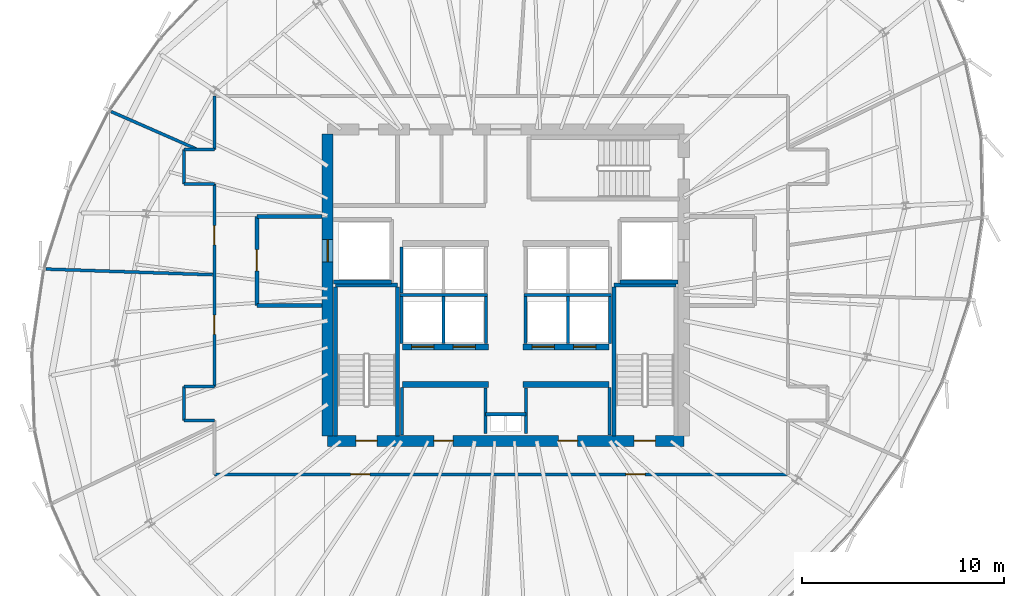
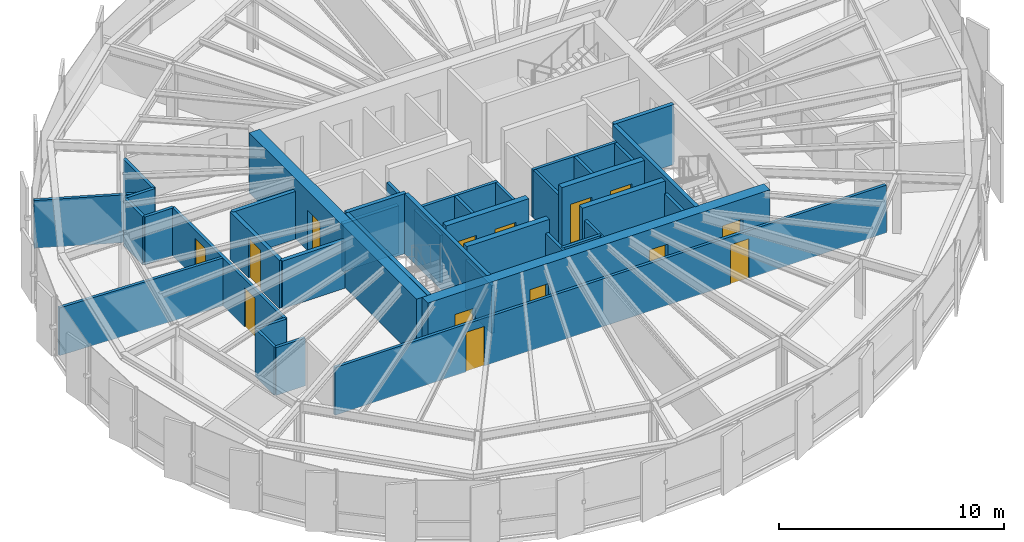
# One storey, part 30 of 35: 41 walls, 14 doors, 14 openings.
"""IFC4 building model written with IfcOpenShell, lengths in metres."""

import ifcopenshell
import ifcopenshell.guid

model = None  # the IFC model being written
_history = None  # IfcOwnerHistory: only IFC2X3 demands one
_inside = {}  # id of a spatial element -> (the spatial element, [elements in it])
_under = {}  # id of a project, library or spatial element -> (it, [spatial elements below it])
_declared = {}  # id of a project -> (the project, [libraries it declares])
_typed = {}  # id of a type object -> (the type object, [elements of that type])
_made_of = {}  # id of a material, layer set ... -> (it, [elements and type objects made of it])


def new_model(schema):
    """Start an empty IFC model of exactly this schema.

    Asked for "IFC4X3", IfcOpenShell would pick the latest addendum, in which some entities
    have other attributes; the version numbers below select the first issue.
    IFC2X3 requires an IfcOwnerHistory on every rooted entity: one is made here for all.
    """
    global model, _history
    if schema == "IFC4X3":
        model = ifcopenshell.file(schema_version=(4, 3, 0, 0))
    else:
        model = ifcopenshell.file(schema=schema)
    _inside.clear()
    _under.clear()
    _declared.clear()
    _typed.clear()
    _made_of.clear()
    _history = None
    if model.schema == "IFC2X3":
        org = make("IfcOrganization", Name="unknown")
        user = make(
            "IfcPersonAndOrganization",
            ThePerson=make("IfcPerson", FamilyName="unknown"),
            TheOrganization=org,
        )
        app = make(
            "IfcApplication",
            ApplicationDeveloper=org,
            Version="unknown",
            ApplicationFullName="unknown",
            ApplicationIdentifier="unknown",
        )
        _history = make(
            "IfcOwnerHistory",
            OwningUser=user,
            OwningApplication=app,
            ChangeAction="ADDED",
            CreationDate=0,
        )
    return model


def make(cls, **values):
    """One entity of the class cls with the attributes given. An attribute that is None is left unset."""
    return model.create_entity(
        cls, **{name: value for name, value in values.items() if value is not None}
    )


def rooted(cls, **values):
    """An entity with a GlobalId (a new one), such as an element, a storey or a relation."""
    return make(cls, GlobalId=ifcopenshell.guid.new(), OwnerHistory=_history, **values)


def si_unit(unit_type, name, prefix=None):
    """IfcSIUnit, for example si_unit("LENGTHUNIT", "METRE", prefix="MILLI")."""
    return make("IfcSIUnit", UnitType=unit_type, Prefix=prefix, Name=name)


def assignment(units):
    """IfcUnitAssignment: the units of a project."""
    return None if units is None else make("IfcUnitAssignment", Units=units)


def point(xyz):
    """IfcCartesianPoint."""
    return None if xyz is None else make("IfcCartesianPoint", Coordinates=xyz)


def direction(xyz):
    """IfcDirection."""
    return None if xyz is None else make("IfcDirection", DirectionRatios=xyz)


def frame(location, z_axis=None, x_axis=None):
    """IfcAxis2Placement3D, a coordinate frame: its origin and axes. An axis left out is left unset."""
    return make(
        "IfcAxis2Placement3D",
        Location=point(location),
        Axis=direction(z_axis),
        RefDirection=direction(x_axis),
    )


def frame_2d(location, x_axis=None):
    """IfcAxis2Placement2D, a coordinate frame in the plane: its origin and x axis."""
    return make(
        "IfcAxis2Placement2D", Location=point(location), RefDirection=direction(x_axis)
    )


def origin():
    """The frame at (0, 0, 0) with its axes left unset."""
    return frame((0.0, 0.0, 0.0))


def place(relative_to, where):
    """IfcLocalPlacement: puts the frame where relative to a parent placement (None: the world)."""
    return make(
        "IfcLocalPlacement", PlacementRelTo=relative_to, RelativePlacement=where
    )


def context(
    kind, dimensions, precision=None, world=None, true_north=None, identifier=None
):
    """IfcGeometricRepresentationContext, for example the 3D "Model" context."""
    return make(
        "IfcGeometricRepresentationContext",
        ContextIdentifier=identifier,
        ContextType=kind,
        CoordinateSpaceDimension=dimensions,
        Precision=precision,
        WorldCoordinateSystem=world,
        TrueNorth=true_north,
    )


def subcontext(parent, identifier, kind, view, scale=None):
    """IfcGeometricRepresentationSubContext, for example "Body" below "Model"."""
    return make(
        "IfcGeometricRepresentationSubContext",
        ContextIdentifier=identifier,
        ContextType=kind,
        ParentContext=parent,
        TargetScale=scale,
        TargetView=view,
    )


def project(units=None, contexts=None):
    """IfcProject with its units and contexts."""
    return rooted(
        "IfcProject",
        Name="project",
        RepresentationContexts=contexts,
        UnitsInContext=assignment(units),
    )


def spatial(cls, under=None, at=None, **own):
    """A site, building, storey or space (cls), placed at a placement, below another one or the project."""
    s = rooted(cls, ObjectPlacement=at, **own)
    if under is not None:
        _under.setdefault(under.id(), (under, []))[1].append(s)
    return s


def profile(cls, at=None, kind="AREA", **sizes):
    """A parametric profile (cls). Its sizes go by their IFC names, for example OverallWidth=200.0."""
    return make(cls, ProfileType=kind, Position=at, **sizes)


def rectangle(**sizes):
    """IfcRectangleProfileDef."""
    return profile("IfcRectangleProfileDef", **sizes)


def extrude(swept, where, along, depth):
    """IfcExtrudedAreaSolid: the profile swept, set in the frame where, extruded along a direction by depth."""
    return make(
        "IfcExtrudedAreaSolid",
        SweptArea=swept,
        Position=where,
        ExtrudedDirection=direction(along),
        Depth=depth,
    )


def shape(context_of_items, identifier, shape_type, items):
    """IfcShapeRepresentation: the items that make up one representation, for example the "Body"."""
    return make(
        "IfcShapeRepresentation",
        ContextOfItems=context_of_items,
        RepresentationIdentifier=identifier,
        RepresentationType=shape_type,
        Items=items,
    )


def source(mapping_origin, context_of_items, identifier, shape_type, items):
    """IfcRepresentationMap: a shape defined once, which mapped items show again and again."""
    return make(
        "IfcRepresentationMap",
        MappingOrigin=mapping_origin,
        MappedRepresentation=shape(context_of_items, identifier, shape_type, items),
    )


def transform(
    local_origin,
    x_axis=None,
    y_axis=None,
    z_axis=None,
    scale=None,
    scale2=None,
    scale3=None,
    uniform=True,
):
    """IfcCartesianTransformationOperator3D, or its non-uniform kind. x_axis, y_axis, z_axis: its Axis1, 2, 3."""
    if uniform:
        return make(
            "IfcCartesianTransformationOperator3D",
            Axis1=direction(x_axis),
            Axis2=direction(y_axis),
            LocalOrigin=point(local_origin),
            Scale=scale,
            Axis3=direction(z_axis),
        )
    return make(
        "IfcCartesianTransformationOperator3DnonUniform",
        Axis1=direction(x_axis),
        Axis2=direction(y_axis),
        LocalOrigin=point(local_origin),
        Scale=scale,
        Axis3=direction(z_axis),
        Scale2=scale2,
        Scale3=scale3,
    )


def mapped(mapping_source, mapping_target):
    """IfcMappedItem: shows the shape of a source again, moved by a transform."""
    return make(
        "IfcMappedItem", MappingSource=mapping_source, MappingTarget=mapping_target
    )


def material(Name=None, Category=None):
    """IfcMaterial."""
    return make("IfcMaterial", Name=Name, Category=Category)


def layer(
    of_material, thickness, ventilated=None, Name=None, Category=None, Priority=None
):
    """IfcMaterialLayer: one layer of a wall or slab, of a material (None: an air gap)."""
    return make(
        "IfcMaterialLayer",
        Material=of_material,
        LayerThickness=thickness,
        IsVentilated=ventilated,
        Name=Name,
        Category=Category,
        Priority=Priority,
    )


def layer_set(layers, Name=None):
    """IfcMaterialLayerSet."""
    return make("IfcMaterialLayerSet", MaterialLayers=layers, LayerSetName=Name)


def made_of(thing, what):
    """Note that an element or type object is made of a material, layer set ...; save() writes the relation."""
    if what is not None:
        _made_of.setdefault(what.id(), (what, []))[1].append(thing)
    return thing


def type_object(cls, material=None, **own):
    """A type object (cls), such as IfcWallType, which elements share."""
    return made_of(rooted(cls, **own), material)


def element(
    cls,
    number,
    at=None,
    inside=None,
    cuts=None,
    type_object=None,
    material=None,
    context=None,
    identifier="Body",
    shape_type=None,
    held_by="IfcProductDefinitionShape",
    body=None,
    shapes=None,
    **own,
):
    """One element of the class cls, such as IfcWall. Its Tag is "e" and its number.

    at: its placement. inside: the storey or other place that contains it. cuts: it is an
    opening in that element (IfcRelVoidsElement). A single representation is given by context,
    identifier, shape_type and body (its items); several are given by shapes. held_by: the class
    of the entity that holds the representations. save() writes the other relations.
    """
    e = rooted(cls, Tag="e%d" % number, ObjectPlacement=at, **own)
    if body is not None:
        shapes = [shape(context, identifier, shape_type, body)]
    if shapes is not None:
        e.Representation = make(held_by, Representations=shapes)
    if inside is not None:
        _inside.setdefault(inside.id(), (inside, []))[1].append(e)
    if cuts is not None:
        rooted(
            "IfcRelVoidsElement", RelatingBuildingElement=cuts, RelatedOpeningElement=e
        )
    if type_object is not None:
        _typed.setdefault(type_object.id(), (type_object, []))[1].append(e)
    return made_of(e, material)


def fill(opening, filler):
    """IfcRelFillsElement: the door or window that sits in an opening."""
    return rooted(
        "IfcRelFillsElement",
        RelatingOpeningElement=opening,
        RelatedBuildingElement=filler,
    )


def aggregate(whole, parts):
    """IfcRelAggregates: a whole, such as a stair, and the parts it consists of."""
    return rooted("IfcRelAggregates", RelatingObject=whole, RelatedObjects=parts)


def save(model, path):
    """Write the relations noted so far, then the file.

    IfcRelAggregates (storeys below a building ...), IfcRelContainedInSpatialStructure (elements
    in a storey), IfcRelDefinesByType, IfcRelAssociatesMaterial and IfcRelDeclares: one each for
    every whole, place, type object, material and project.
    """
    for whole, parts in _under.values():
        aggregate(whole, parts)
    for where, things in _inside.values():
        rooted(
            "IfcRelContainedInSpatialStructure",
            RelatedElements=things,
            RelatingStructure=where,
        )
    for kind, things in _typed.values():
        rooted("IfcRelDefinesByType", RelatedObjects=things, RelatingType=kind)
    for what, things in _made_of.values():
        rooted("IfcRelAssociatesMaterial", RelatedObjects=things, RelatingMaterial=what)
    for by, libraries in _declared.values():
        rooted("IfcRelDeclares", RelatingContext=by, RelatedDefinitions=libraries)
    model.write(path)


model = new_model("IFC4")

# Units and contexts
model_context = context("Model", 3, precision=1e-05, world=origin(), true_north=direction((0.0, 1.0)))
body_context = subcontext(model_context, "Body", "Model", "MODEL_VIEW")
ifc_project = project(units=[si_unit("LENGTHUNIT", "METRE"), si_unit("AREAUNIT", "SQUARE_METRE"), si_unit("VOLUMEUNIT", "CUBIC_METRE"), si_unit("PLANEANGLEUNIT", "RADIAN"), si_unit("MASSUNIT", "GRAM", prefix="KILO"), si_unit("THERMODYNAMICTEMPERATUREUNIT", "KELVIN")], contexts=[model_context])

# Site, building, storey
site_placement = place(None, origin())
site = spatial("IfcSite", under=ifc_project, at=site_placement, CompositionType="ELEMENT")
building_placement = place(site_placement, origin())
building = spatial("IfcBuilding", under=site, at=building_placement, Name="Kethvar Cultural Tower", CompositionType="ELEMENT")
storey_placement = place(building_placement, frame((0.0, 0.0, 204.39990234375)))
storey = spatial("IfcBuildingStorey", under=building, at=storey_placement, Name="L53", CompositionType="ELEMENT", Elevation=204.39990234375)

# Wall, openings, doors
ifc_material_1 = material(Name="Concrete C60/75", Category="concrete")
ifc_layer_1 = layer(ifc_material_1, 0.550048828125, Name="Concrete C60/75", Category="concrete")
ifc_layer_set_1 = layer_set([ifc_layer_1], Name="Concrete C60/75 (550 mm)")
wall_type_1 = type_object("IfcWallType", Name="WL-CORE-550", PredefinedType="SHEAR", material=ifc_layer_set_1)
wall_1_placement = place(storey_placement, frame((38.0, 20.10009765625, 0.0), z_axis=(0.0, 0.0, 1.0), x_axis=(1.0, 0.0, 0.0)))
wall_1 = element("IfcWall", 1, at=wall_1_placement, inside=storey, type_object=wall_type_1, Name="L53 Core Shear Wall S", PredefinedType="SHEAR", context=body_context, shape_type="SweptSolid", body=[
    extrude(rectangle(XDim=17.60009765625, YDim=0.550048828125, at=frame_2d((8.800048828125, 0.0))), origin(), (0.0, 0.0, 1.0), 3.260009765625),
])
opening_1_placement = place(wall_1_placement, frame((1.39990234375, 0.0, 0.0)))
opening_1 = element("IfcOpeningElement", 2, at=opening_1_placement, cuts=wall_1, Name="Opening D-L53-S1", PredefinedType="OPENING", context=body_context, shape_type="SweptSolid", body=[
    extrude(rectangle(XDim=1.050048828125, YDim=2.14990234375, at=frame_2d((0.52490234375, 1.074951171875))), frame((0.0, 0.284912109375, 0.0), z_axis=(0.0, -1.0, 0.0), x_axis=(1.0, 0.0, 0.0)), (0.0, 0.0, 1.0), 0.570068359375),
])
opening_2_placement = place(wall_1_placement, frame((15.14990234375, 0.0, 0.0)))
opening_2 = element("IfcOpeningElement", 3, at=opening_2_placement, cuts=wall_1, Name="Opening D-L53-ST2", PredefinedType="OPENING", context=body_context, shape_type="SweptSolid", body=[
    extrude(rectangle(XDim=1.050048828125, YDim=2.14990234375, at=frame_2d((0.52490234375, 1.074951171875))), frame((0.0, 0.284912109375, 0.0), z_axis=(0.0, -1.0, 0.0), x_axis=(1.0, 0.0, 0.0)), (0.0, 0.0, 1.0), 0.570068359375),
])
opening_3_placement = place(wall_1_placement, frame((5.25, 0.0, 0.0)))
opening_3 = element("IfcOpeningElement", 4, at=opening_3_placement, cuts=wall_1, Name="Opening D-L53-V1", PredefinedType="OPENING", context=body_context, shape_type="SweptSolid", body=[
    extrude(rectangle(XDim=0.949951171875, YDim=2.14990234375, at=frame_2d((0.47509765625, 1.074951171875))), frame((0.0, 0.284912109375, 0.0), z_axis=(0.0, -1.0, 0.0), x_axis=(1.0, 0.0, 0.0)), (0.0, 0.0, 1.0), 0.570068359375),
])
opening_4_placement = place(wall_1_placement, frame((11.39990234375, 0.0, 0.0)))
opening_4 = element("IfcOpeningElement", 5, at=opening_4_placement, cuts=wall_1, Name="Opening D-L53-V2", PredefinedType="OPENING", context=body_context, shape_type="SweptSolid", body=[
    extrude(rectangle(XDim=0.949951171875, YDim=2.14990234375, at=frame_2d((0.47509765625, 1.074951171875))), frame((0.0, 0.284912109375, 0.0), z_axis=(0.0, -1.0, 0.0), x_axis=(1.0, 0.0, 0.0)), (0.0, 0.0, 1.0), 0.570068359375),
])
ifc_material_2 = material(Name="Steel S355J2", Category="steel")
door_type_1 = type_object("IfcDoorType", Name="DR-FD60-1050", OperationType="NOTDEFINED", PredefinedType="DOOR", material=ifc_material_2)
shared_shape_1 = source(origin(), body_context, "Body", "SweptSolid", [
    extrude(rectangle(XDim=1.050048828125, YDim=2.14990234375, at=frame_2d((0.52490234375, 1.074951171875))), frame((0.0, 0.02490234375, 0.0), z_axis=(0.0, -1.0, 0.0), x_axis=(1.0, 0.0, 0.0)), (0.0, 0.0, 1.0), 0.050048828125),
])
door_1_placement = place(opening_1_placement, origin())
door_1 = element("IfcDoor", 6, at=door_1_placement, inside=storey, type_object=door_type_1, Name="L53 Exit Stair 1 Door", OperationType="SINGLE_SWING_LEFT", OverallHeight=2.14990234375, OverallWidth=1.050048828125, PredefinedType="DOOR", context=body_context, shape_type="MappedRepresentation", body=[
    mapped(shared_shape_1, transform((0.0, 0.0, 0.0), scale=1.0)),
])
fill(opening_1, door_1)
door_2_placement = place(opening_2_placement, origin())
door_2 = element("IfcDoor", 7, at=door_2_placement, inside=storey, type_object=door_type_1, Name="L53 Exit Stair 2 Door", OperationType="SINGLE_SWING_RIGHT", OverallHeight=2.14990234375, OverallWidth=1.050048828125, PredefinedType="DOOR", context=body_context, shape_type="MappedRepresentation", body=[
    mapped(shared_shape_1, transform((0.0, 0.0, 0.0), scale=1.0)),
])
fill(opening_2, door_2)
ifc_material_3 = material(Name="Architectural Oak Timber", Category="wood")
door_type_2 = type_object("IfcDoorType", Name="DR-FD30-950", OperationType="NOTDEFINED", PredefinedType="DOOR", material=ifc_material_3)
shared_shape_2 = source(origin(), body_context, "Body", "SweptSolid", [
    extrude(rectangle(XDim=0.949951171875, YDim=2.14990234375, at=frame_2d((0.47509765625, 1.074951171875))), frame((0.0, 0.02490234375, 0.0), z_axis=(0.0, -1.0, 0.0), x_axis=(1.0, 0.0, 0.0)), (0.0, 0.0, 1.0), 0.050048828125),
])
door_3_placement = place(opening_3_placement, origin())
door_3 = element("IfcDoor", 8, at=door_3_placement, inside=storey, type_object=door_type_2, Name="L53 Reclaimed West Room Door", OperationType="SINGLE_SWING_LEFT", OverallHeight=2.14990234375, OverallWidth=0.949951171875, PredefinedType="DOOR", context=body_context, shape_type="MappedRepresentation", body=[
    mapped(shared_shape_2, transform((0.0, 0.0, 0.0), scale=1.0)),
])
fill(opening_3, door_3)
door_4_placement = place(opening_4_placement, origin())
door_4 = element("IfcDoor", 9, at=door_4_placement, inside=storey, type_object=door_type_2, Name="L53 Reclaimed East Room Door", OperationType="SINGLE_SWING_RIGHT", OverallHeight=2.14990234375, OverallWidth=0.949951171875, PredefinedType="DOOR", context=body_context, shape_type="MappedRepresentation", body=[
    mapped(shared_shape_2, transform((0.0, 0.0, 0.0), scale=1.0)),
])
fill(opening_4, door_4)

# Wall, opening, door
wall_2_placement = place(storey_placement, frame((38.0, 35.260009765625, 0.0), z_axis=(0.0, 0.0, 1.0), x_axis=(0.0, -1.0, 0.0)))
wall_2 = element("IfcWall", 10, at=wall_2_placement, inside=storey, type_object=wall_type_1, Name="L53 Core Shear Wall W", PredefinedType="SHEAR", context=body_context, shape_type="SweptSolid", body=[
    extrude(rectangle(XDim=14.919921875, YDim=0.550048828125, at=frame_2d((7.4599609375, 0.0))), origin(), (0.0, 0.0, 1.0), 3.260009765625),
])
opening_5_placement = place(wall_2_placement, frame((5.2099609375, 0.0, 0.0)))
opening_5 = element("IfcOpeningElement", 11, at=opening_5_placement, cuts=wall_2, Name="Opening LD-1", PredefinedType="OPENING", context=body_context, shape_type="SweptSolid", body=[
    extrude(rectangle(XDim=1.10009765625, YDim=2.199951171875, at=frame_2d((0.550048828125, 1.10009765625))), frame((0.0, 0.284912109375, 0.0), z_axis=(0.0, -1.0, 0.0), x_axis=(1.0, 0.0, 0.0)), (0.0, 0.0, 1.0), 0.570068359375),
])
door_type_3 = type_object("IfcDoorType", Name="DR-LIFT-SLIDE-1100", OperationType="NOTDEFINED", PredefinedType="DOOR", material=ifc_material_2)
shared_shape_3 = source(origin(), body_context, "Body", "SweptSolid", [
    extrude(rectangle(XDim=1.10009765625, YDim=2.199951171875, at=frame_2d((0.550048828125, 1.10009765625))), frame((0.0, 0.02490234375, 0.0), z_axis=(0.0, -1.0, 0.0), x_axis=(1.0, 0.0, 0.0)), (0.0, 0.0, 1.0), 0.050048828125),
])
door_5_placement = place(opening_5_placement, origin())
door_5 = element("IfcDoor", 12, at=door_5_placement, inside=storey, type_object=door_type_3, Name="L53 Firefighting Lift Landing Door FFL-01", OperationType="SLIDING_TO_LEFT", OverallHeight=2.199951171875, OverallWidth=1.10009765625, PredefinedType="DOOR", context=body_context, shape_type="MappedRepresentation", body=[
    mapped(shared_shape_3, transform((0.0, 0.0, 0.0), scale=1.0)),
])
fill(opening_5, door_5)

# Walls
ifc_material_4 = material(Name="Gypsum Fireboard Partition")
ifc_layer_2 = layer(ifc_material_4, 0.14990234375, Name="Gypsum Fireboard Partition")
ifc_layer_set_2 = layer_set([ifc_layer_2], Name="Gypsum Fireboard Partition (150 mm)")
wall_type_2 = type_object("IfcWallType", Name="WL-FIRE-150", PredefinedType="PARTITIONING", material=ifc_layer_set_2)
wall_3_placement = place(storey_placement, frame((45.800048828125, 21.419921875, 0.0), z_axis=(0.0, 0.0, 1.0), x_axis=(1.0, 0.0, 0.0)))
element("IfcWall", 13, at=wall_3_placement, inside=storey, type_object=wall_type_2, Name="L53 Core Riser Wall", PredefinedType="PARTITIONING", context=body_context, shape_type="SweptSolid", body=[
    extrude(rectangle(XDim=2.0, YDim=0.14990234375, at=frame_2d((1.0, 0.0))), origin(), (0.0, 0.0, 1.0), 2.59521484375),
])
for number, where, z_axis, x_axis, name in (
    (14, (45.800048828125, 20.47998046875, 0.0), (0.0, 0.0, 1.0), (0.0, 1.0, 0.0), "L53 Core Riser West Wall"),
    (15, (47.800048828125, 20.47998046875, 0.0), (0.0, 0.0, 1.0), (0.0, 1.0, 0.0), "L53 Core Riser East Wall"),
):
    element("IfcWall", number, at=place(storey_placement, frame(where, z_axis=z_axis, x_axis=x_axis)), inside=storey, type_object=wall_type_2, Name=name, PredefinedType="PARTITIONING", context=body_context, shape_type="SweptSolid", body=[
        extrude(rectangle(XDim=2.239990234375, YDim=0.14990234375, at=frame_2d((1.1201171875, 0.0))), origin(), (0.0, 0.0, 1.0), 2.59521484375),
    ])
for number, where, z_axis, x_axis, name in (
    (16, (41.679931640625, 20.385009765625, 0.0), (0.0, 0.0, 1.0), (0.0, 1.0, 0.0), "L53 Reclaimed West Outer Wall"),
    (17, (51.919921875, 20.385009765625, 0.0), (0.0, 0.0, 1.0), (0.0, 1.0, 0.0), "L53 Reclaimed East Outer Wall"),
):
    element("IfcWall", number, at=place(storey_placement, frame(where, z_axis=z_axis, x_axis=x_axis)), inside=storey, type_object=wall_type_2, Name=name, PredefinedType="PARTITIONING", context=body_context, shape_type="SweptSolid", body=[
        extrude(rectangle(XDim=2.344970703125, YDim=0.14990234375, at=frame_2d((1.17236328125, 0.0))), origin(), (0.0, 0.0, 1.0), 2.59521484375),
    ])
wall_4_placement = place(storey_placement, frame((41.580078125, 27.324951171875, 0.0), z_axis=(0.0, 0.0, 1.0), x_axis=(1.0, 0.0, 0.0)))
element("IfcWall", 18, at=wall_4_placement, inside=storey, type_object=wall_type_2, Name="L53 Mid-High Lift Shaft Back Wall W", PredefinedType="PARTITIONING", context=body_context, shape_type="SweptSolid", body=[
    extrude(rectangle(XDim=4.31982421875, YDim=0.14990234375, at=frame_2d((2.159912109375, 0.0))), origin(), (0.0, 0.0, 1.0), 2.59521484375),
])
wall_5_placement = place(storey_placement, frame((47.699951171875, 27.324951171875, 0.0), z_axis=(0.0, 0.0, 1.0), x_axis=(1.0, 0.0, 0.0)))
element("IfcWall", 19, at=wall_5_placement, inside=storey, type_object=wall_type_2, Name="L53 Mid-High Lift Shaft Back Wall E", PredefinedType="PARTITIONING", context=body_context, shape_type="SweptSolid", body=[
    extrude(rectangle(XDim=4.320068359375, YDim=0.14990234375, at=frame_2d((2.16015625, 0.0))), origin(), (0.0, 0.0, 1.0), 2.59521484375),
])
for number, where, z_axis, x_axis, name in (
    (20, (41.64990234375, 24.919921875, 0.0), (0.0, 0.0, 1.0), (0.0, 1.0, 0.0), "L53 Mid-Rise Lift Shaft Outer Wall W"),
    (21, (43.72509765625, 24.919921875, 0.0), (0.0, 0.0, 1.0), (0.0, 1.0, 0.0), "L53 Mid-Rise Lift Shaft Divider W"),
    (22, (45.824951171875, 24.919921875, 0.0), (0.0, 0.0, 1.0), (0.0, 1.0, 0.0), "L53 Mid-Rise Lift Shaft Concourse Wall W"),
    (23, (47.77490234375, 24.919921875, 0.0), (0.0, 0.0, 1.0), (0.0, 1.0, 0.0), "L53 Mid-Rise Lift Shaft Concourse Wall E"),
    (24, (49.875, 24.919921875, 0.0), (0.0, 0.0, 1.0), (0.0, 1.0, 0.0), "L53 Mid-Rise Lift Shaft Divider E"),
    (25, (51.949951171875, 24.919921875, 0.0), (0.0, 0.0, 1.0), (0.0, 1.0, 0.0), "L53 Mid-Rise Lift Shaft Outer Wall E"),
):
    element("IfcWall", number, at=place(storey_placement, frame(where, z_axis=z_axis, x_axis=x_axis)), inside=storey, type_object=wall_type_2, Name=name, PredefinedType="PARTITIONING", context=body_context, shape_type="SweptSolid", body=[
        extrude(rectangle(XDim=2.320068359375, YDim=0.14990234375, at=frame_2d((1.16015625, 0.0))), origin(), (0.0, 0.0, 1.0), 2.59521484375),
    ])
wall_6_placement = place(storey_placement, frame((41.64990234375, 27.409912109375, 0.0), z_axis=(0.0, 0.0, 1.0), x_axis=(0.0, 1.0, 0.0)))
element("IfcWall", 26, at=wall_6_placement, inside=storey, type_object=wall_type_2, Name="L53 High-Rise Lift Shaft Outer Wall W", PredefinedType="PARTITIONING", context=body_context, shape_type="SweptSolid", body=[
    extrude(rectangle(XDim=2.27001953125, YDim=0.14990234375, at=frame_2d((1.135009765625, 0.0))), origin(), (0.0, 0.0, 1.0), 2.59521484375),
])

# Wall, openings, doors
wall_7_placement = place(storey_placement, frame((32.39990234375, 18.449951171875, 0.0), z_axis=(0.0, 0.0, 1.0), x_axis=(1.0, 0.0, 0.0)))
wall_7 = element("IfcWall", 27, at=wall_7_placement, inside=storey, type_object=wall_type_2, Name="L53 Corridor Rated Wall S", PredefinedType="PARTITIONING", context=body_context, shape_type="SweptSolid", body=[
    extrude(rectangle(XDim=28.35009765625, YDim=0.14990234375, at=frame_2d((14.175048828125, 0.0))), origin(), (0.0, 0.0, 1.0), 2.59521484375),
])
opening_6_placement = place(wall_7_placement, frame((6.73974609375, 0.0, 0.0)))
opening_6 = element("IfcOpeningElement", 28, at=opening_6_placement, cuts=wall_7, Name="Opening D-L53-01", PredefinedType="OPENING", context=body_context, shape_type="SweptSolid", body=[
    extrude(rectangle(XDim=0.949951171875, YDim=2.14990234375, at=frame_2d((0.47509765625, 1.074951171875))), frame((0.0, 0.0849609375, 0.0), z_axis=(0.0, -1.0, 0.0), x_axis=(1.0, 0.0, 0.0)), (0.0, 0.0, 1.0), 0.169921875),
])
opening_7_placement = place(wall_7_placement, frame((20.334716796875, 0.0, 0.0)))
opening_7 = element("IfcOpeningElement", 29, at=opening_7_placement, cuts=wall_7, Name="Opening D-L53-02", PredefinedType="OPENING", context=body_context, shape_type="SweptSolid", body=[
    extrude(rectangle(XDim=0.949951171875, YDim=2.14990234375, at=frame_2d((0.47509765625, 1.074951171875))), frame((0.0, 0.0849609375, 0.0), z_axis=(0.0, -1.0, 0.0), x_axis=(1.0, 0.0, 0.0)), (0.0, 0.0, 1.0), 0.169921875),
])
door_6_placement = place(opening_6_placement, origin())
door_6 = element("IfcDoor", 30, at=door_6_placement, inside=storey, type_object=door_type_2, Name="L53 Policy Research Workspace 01 Door", OperationType="SINGLE_SWING_RIGHT", OverallHeight=2.14990234375, OverallWidth=0.949951171875, PredefinedType="DOOR", context=body_context, shape_type="MappedRepresentation", body=[
    mapped(shared_shape_2, transform((0.0, 0.0, 0.0), scale=1.0)),
])
fill(opening_6, door_6)
door_7_placement = place(opening_7_placement, origin())
door_7 = element("IfcDoor", 31, at=door_7_placement, inside=storey, type_object=door_type_2, Name="L53 Fellows' Study Workspace 02 Door", OperationType="SINGLE_SWING_LEFT", OverallHeight=2.14990234375, OverallWidth=0.949951171875, PredefinedType="DOOR", context=body_context, shape_type="MappedRepresentation", body=[
    mapped(shared_shape_2, transform((0.0, 0.0, 0.0), scale=1.0)),
])
fill(opening_7, door_7)

# Walls
wall_8_placement = place(storey_placement, frame((32.39990234375, 37.14990234375, 0.0), z_axis=(0.0, 0.0, 1.0), x_axis=(0.0, -1.0, 0.0)))
element("IfcWall", 32, at=wall_8_placement, inside=storey, type_object=wall_type_2, Name="L53 Corridor Rated Wall W2", PredefinedType="PARTITIONING", context=body_context, shape_type="SweptSolid", body=[
    extrude(rectangle(XDim=2.64990234375, YDim=0.14990234375, at=frame_2d((1.324951171875, 0.0))), origin(), (0.0, 0.0, 1.0), 2.59521484375),
])
wall_9_placement = place(storey_placement, frame((32.39990234375, 34.5, 0.0), z_axis=(0.0, 0.0, 1.0), x_axis=(-1.0, 0.0, 0.0)))
element("IfcWall", 33, at=wall_9_placement, inside=storey, type_object=wall_type_2, Name="L53 Corridor Rated Wall WNT", PredefinedType="PARTITIONING", context=body_context, shape_type="SweptSolid", body=[
    extrude(rectangle(XDim=1.5, YDim=0.14990234375, at=frame_2d((0.75, 0.0))), origin(), (0.0, 0.0, 1.0), 2.59521484375),
])
wall_10_placement = place(storey_placement, frame((30.89990234375, 34.5, 0.0), z_axis=(0.0, 0.0, 1.0), x_axis=(0.0, -1.0, 0.0)))
element("IfcWall", 34, at=wall_10_placement, inside=storey, type_object=wall_type_2, Name="L53 Corridor Rated Wall WN", PredefinedType="PARTITIONING", context=body_context, shape_type="SweptSolid", body=[
    extrude(rectangle(XDim=1.699951171875, YDim=0.14990234375, at=frame_2d((0.85009765625, 0.0))), origin(), (0.0, 0.0, 1.0), 2.59521484375),
])
wall_11_placement = place(storey_placement, frame((30.89990234375, 32.800048828125, 0.0), z_axis=(0.0, 0.0, 1.0), x_axis=(1.0, 0.0, 0.0)))
element("IfcWall", 35, at=wall_11_placement, inside=storey, type_object=wall_type_2, Name="L53 Corridor Rated Wall WNB", PredefinedType="PARTITIONING", context=body_context, shape_type="SweptSolid", body=[
    extrude(rectangle(XDim=1.5, YDim=0.14990234375, at=frame_2d((0.75, 0.0))), origin(), (0.0, 0.0, 1.0), 2.59521484375),
])

# Wall, openings, doors
wall_12_placement = place(storey_placement, frame((32.39990234375, 32.800048828125, 0.0), z_axis=(0.0, 0.0, 1.0), x_axis=(0.0, -1.0, 0.0)))
wall_12 = element("IfcWall", 36, at=wall_12_placement, inside=storey, type_object=wall_type_2, Name="L53 Corridor Rated Wall WM", PredefinedType="PARTITIONING", context=body_context, shape_type="SweptSolid", body=[
    extrude(rectangle(XDim=10.0, YDim=0.14990234375, at=frame_2d((5.0, 0.0))), origin(), (0.0, 0.0, 1.0), 2.59521484375),
])
opening_8_placement = place(wall_12_placement, frame((2.059326171875, 0.0, 0.0)))
opening_8 = element("IfcOpeningElement", 37, at=opening_8_placement, cuts=wall_12, Name="Opening D-L53-10", PredefinedType="OPENING", context=body_context, shape_type="SweptSolid", body=[
    extrude(rectangle(XDim=0.949951171875, YDim=2.14990234375, at=frame_2d((0.47509765625, 1.074951171875))), frame((0.0, 0.0849609375, 0.0), z_axis=(0.0, -1.0, 0.0), x_axis=(1.0, 0.0, 0.0)), (0.0, 0.0, 1.0), 0.169921875),
])
opening_9_placement = place(wall_12_placement, frame((6.4794921875, 0.0, 0.0)))
opening_9 = element("IfcOpeningElement", 38, at=opening_9_placement, cuts=wall_12, Name="Opening D-L53-11", PredefinedType="OPENING", context=body_context, shape_type="SweptSolid", body=[
    extrude(rectangle(XDim=0.949951171875, YDim=2.14990234375, at=frame_2d((0.47509765625, 1.074951171875))), frame((0.0, 0.0849609375, 0.0), z_axis=(0.0, -1.0, 0.0), x_axis=(1.0, 0.0, 0.0)), (0.0, 0.0, 1.0), 0.169921875),
])
door_8_placement = place(opening_8_placement, origin())
door_8 = element("IfcDoor", 39, at=door_8_placement, inside=storey, type_object=door_type_2, Name="L53 Patron Reception 10 Door", OperationType="SINGLE_SWING_LEFT", OverallHeight=2.14990234375, OverallWidth=0.949951171875, PredefinedType="DOOR", context=body_context, shape_type="MappedRepresentation", body=[
    mapped(shared_shape_2, transform((0.0, 0.0, 0.0), scale=1.0)),
])
fill(opening_8, door_8)
door_9_placement = place(opening_9_placement, origin())
door_9 = element("IfcDoor", 40, at=door_9_placement, inside=storey, type_object=door_type_2, Name="L53 First Aid Room 11 Door", OperationType="SINGLE_SWING_RIGHT", OverallHeight=2.14990234375, OverallWidth=0.949951171875, PredefinedType="DOOR", context=body_context, shape_type="MappedRepresentation", body=[
    mapped(shared_shape_2, transform((0.0, 0.0, 0.0), scale=1.0)),
])
fill(opening_9, door_9)

# Walls
wall_13_placement = place(storey_placement, frame((32.39990234375, 22.800048828125, 0.0), z_axis=(0.0, 0.0, 1.0), x_axis=(-1.0, 0.0, 0.0)))
element("IfcWall", 41, at=wall_13_placement, inside=storey, type_object=wall_type_2, Name="L53 Corridor Rated Wall WST", PredefinedType="PARTITIONING", context=body_context, shape_type="SweptSolid", body=[
    extrude(rectangle(XDim=1.5, YDim=0.14990234375, at=frame_2d((0.75, 0.0))), origin(), (0.0, 0.0, 1.0), 2.59521484375),
])
wall_14_placement = place(storey_placement, frame((30.89990234375, 22.800048828125, 0.0), z_axis=(0.0, 0.0, 1.0), x_axis=(0.0, -1.0, 0.0)))
element("IfcWall", 42, at=wall_14_placement, inside=storey, type_object=wall_type_2, Name="L53 Corridor Rated Wall WS", PredefinedType="PARTITIONING", context=body_context, shape_type="SweptSolid", body=[
    extrude(rectangle(XDim=1.699951171875, YDim=0.14990234375, at=frame_2d((0.85009765625, 0.0))), origin(), (0.0, 0.0, 1.0), 2.59521484375),
])
wall_15_placement = place(storey_placement, frame((30.89990234375, 21.10009765625, 0.0), z_axis=(0.0, 0.0, 1.0), x_axis=(1.0, 0.0, 0.0)))
element("IfcWall", 43, at=wall_15_placement, inside=storey, type_object=wall_type_2, Name="L53 Corridor Rated Wall WSB", PredefinedType="PARTITIONING", context=body_context, shape_type="SweptSolid", body=[
    extrude(rectangle(XDim=1.5, YDim=0.14990234375, at=frame_2d((0.75, 0.0))), origin(), (0.0, 0.0, 1.0), 2.59521484375),
])
ifc_material_5 = material(Name="Concrete C40/50", Category="concrete")
ifc_layer_3 = layer(ifc_material_5, 0.199951171875, Name="Concrete C40/50", Category="concrete")
ifc_layer_set_3 = layer_set([ifc_layer_3], Name="Concrete C40/50 (200 mm)")
wall_type_3 = type_object("IfcWallType", Name="WL-FIRE-200", PredefinedType="PARTITIONING", material=ifc_layer_set_3)
wall_16_placement = place(storey_placement, frame((38.284912109375, 27.949951171875, 0.0), z_axis=(0.0, 0.0, 1.0), x_axis=(1.0, 0.0, 0.0)))
element("IfcWall", 44, at=wall_16_placement, inside=storey, type_object=wall_type_3, Name="L53 FFL-01 Shaft South Wall", PredefinedType="PARTITIONING", context=body_context, shape_type="SweptSolid", body=[
    extrude(rectangle(XDim=2.864990234375, YDim=0.199951171875, at=frame_2d((1.4326171875, 0.0))), origin(), (0.0, 0.0, 1.0), 2.59521484375),
])

# Wall, opening, door
wall_17_placement = place(storey_placement, frame((34.5, 31.199951171875, 0.0), z_axis=(0.0, 0.0, 1.0), x_axis=(0.0, -1.0, 0.0)))
wall_17 = element("IfcWall", 45, at=wall_17_placement, inside=storey, type_object=wall_type_3, Name="L53 Firefighting Lobby 1 Wall", PredefinedType="PARTITIONING", context=body_context, shape_type="SweptSolid", body=[
    extrude(rectangle(XDim=4.39990234375, YDim=0.199951171875, at=frame_2d((2.199951171875, 0.0))), origin(), (0.0, 0.0, 1.0), 2.59521484375),
])
opening_10_placement = place(wall_17_placement, frame((1.64990234375, 0.0, 0.0)))
opening_10 = element("IfcOpeningElement", 46, at=opening_10_placement, cuts=wall_17, Name="Opening D-L53-F1", PredefinedType="OPENING", context=body_context, shape_type="SweptSolid", body=[
    extrude(rectangle(XDim=1.050048828125, YDim=2.14990234375, at=frame_2d((0.52490234375, 1.074951171875))), frame((0.0, 0.10986328125, 0.0), z_axis=(0.0, -1.0, 0.0), x_axis=(1.0, 0.0, 0.0)), (0.0, 0.0, 1.0), 0.219970703125),
])
door_10_placement = place(opening_10_placement, origin())
door_10 = element("IfcDoor", 47, at=door_10_placement, inside=storey, type_object=door_type_1, Name="L53 Firefighting Lobby 1 Fire Door", OperationType="SINGLE_SWING_LEFT", OverallHeight=2.14990234375, OverallWidth=1.050048828125, PredefinedType="DOOR", context=body_context, shape_type="MappedRepresentation", body=[
    mapped(shared_shape_1, transform((0.0, 0.0, 0.0), scale=1.0)),
])
fill(opening_10, door_10)

# Walls
for number, where, z_axis, x_axis, name in (
    (48, (34.5, 26.800048828125, 0.0), (0.0, 0.0, 1.0), (1.0, 0.0, 0.0), "L53 FF Lobby 1 South Wall"),
    (49, (34.5, 31.199951171875, 0.0), (0.0, 0.0, 1.0), (1.0, 0.0, 0.0), "L53 FF Lobby 1 North Wall"),
):
    element("IfcWall", number, at=place(storey_placement, frame(where, z_axis=z_axis, x_axis=x_axis)), inside=storey, type_object=wall_type_3, Name=name, PredefinedType="PARTITIONING", context=body_context, shape_type="SweptSolid", body=[
        extrude(rectangle(XDim=3.215087890625, YDim=0.199951171875, at=frame_2d((1.607421875, 0.0))), origin(), (0.0, 0.0, 1.0), 2.59521484375),
    ])
wall_18_placement = place(storey_placement, frame((52.449951171875, 27.949951171875, 0.0), z_axis=(0.0, 0.0, 1.0), x_axis=(1.0, 0.0, 0.0)))
element("IfcWall", 50, at=wall_18_placement, inside=storey, type_object=wall_type_3, Name="L53 FFL-02 Shaft South Wall", PredefinedType="PARTITIONING", context=body_context, shape_type="SweptSolid", body=[
    extrude(rectangle(XDim=2.864990234375, YDim=0.199951171875, at=frame_2d((1.4326171875, 0.0))), origin(), (0.0, 0.0, 1.0), 2.59521484375),
])
ifc_material_6 = material(Name="Gypsum Acoustic Partition")
ifc_layer_4 = layer(ifc_material_6, 0.14990234375, Name="Gypsum Acoustic Partition")
ifc_layer_set_4 = layer_set([ifc_layer_4], Name="Gypsum Acoustic Partition (150 mm)")
wall_type_4 = type_object("IfcWallType", Name="WL-PART-150", PredefinedType="PARTITIONING", material=ifc_layer_set_4)
wall_19_placement = place(storey_placement, frame((31.506591796875, 34.531982421875, 0.0), z_axis=(0.0, 0.0, 1.0), x_axis=(-0.915717518103, 0.401822631318, 0.0)))
element("IfcWall", 51, at=wall_19_placement, inside=storey, type_object=wall_type_4, Name="L53 Radial Partition Wall 10", PredefinedType="PARTITIONING", context=body_context, shape_type="SweptSolid", body=[
    extrude(rectangle(XDim=4.592041015625, YDim=0.14990234375, at=frame_2d((2.2958984375, 0.0))), origin(), (0.0, 0.0, 1.0), 2.59521484375),
])
wall_20_placement = place(storey_placement, frame((32.320068359375, 28.313720703125, 0.0), z_axis=(0.0, 0.0, 1.0), x_axis=(-0.999420901032, 0.034027379868, 0.0)))
element("IfcWall", 52, at=wall_20_placement, inside=storey, type_object=wall_type_4, Name="L53 Radial Partition Wall 11", PredefinedType="PARTITIONING", context=body_context, shape_type="SweptSolid", body=[
    extrude(rectangle(XDim=8.23681640625, YDim=0.14990234375, at=frame_2d((4.118408203125, 0.0))), origin(), (0.0, 0.0, 1.0), 2.59521484375),
])
ifc_material_7 = material(Name="Concrete C50/60", Category="concrete")
ifc_layer_5 = layer(ifc_material_7, 0.300048828125, Name="Concrete C50/60", Category="concrete")
ifc_layer_set_5 = layer_set([ifc_layer_5], Name="Concrete C50/60 (300 mm)")
wall_type_5 = type_object("IfcWallType", Name="WL-SHAFT-300", PredefinedType="SHEAR", material=ifc_layer_set_5)
for number, where, z_axis, x_axis, name in (
    (53, (41.699951171875, 22.89990234375, 0.0), (0.0, 0.0, 1.0), (1.0, 0.0, 0.0), "L53 Core Lift Spine Wall MID1W"),
    (54, (47.64990234375, 22.89990234375, 0.0), (0.0, 0.0, 1.0), (1.0, 0.0, 0.0), "L53 Core Lift Spine Wall MID1E"),
):
    element("IfcWall", number, at=place(storey_placement, frame(where, z_axis=z_axis, x_axis=x_axis)), inside=storey, type_object=wall_type_5, Name=name, PredefinedType="SHEAR", context=body_context, shape_type="SweptSolid", body=[
        extrude(rectangle(XDim=4.25, YDim=0.300048828125, at=frame_2d((2.125, 0.0))), origin(), (0.0, 0.0, 1.0), 3.260009765625),
    ])

# Wall, openings, doors
wall_21_placement = place(storey_placement, frame((41.699951171875, 24.75, 0.0), z_axis=(0.0, 0.0, 1.0), x_axis=(1.0, 0.0, 0.0)))
wall_21 = element("IfcWall", 55, at=wall_21_placement, inside=storey, type_object=wall_type_5, Name="L53 Core Lift Spine Wall MID2W", PredefinedType="SHEAR", context=body_context, shape_type="SweptSolid", body=[
    extrude(rectangle(XDim=4.25, YDim=0.300048828125, at=frame_2d((2.125, 0.0))), origin(), (0.0, 0.0, 1.0), 3.260009765625),
])
opening_11_placement = place(wall_21_placement, frame((0.449951171875, 0.0, 0.0)))
opening_11 = element("IfcOpeningElement", 56, at=opening_11_placement, cuts=wall_21, Name="Opening LD-M1", PredefinedType="OPENING", context=body_context, shape_type="SweptSolid", body=[
    extrude(rectangle(XDim=1.10009765625, YDim=2.199951171875, at=frame_2d((0.550048828125, 1.10009765625))), frame((0.0, 0.159912109375, 0.0), z_axis=(0.0, -1.0, 0.0), x_axis=(1.0, 0.0, 0.0)), (0.0, 0.0, 1.0), 0.320068359375),
])
opening_12_placement = place(wall_21_placement, frame((2.5, 0.0, 0.0)))
opening_12 = element("IfcOpeningElement", 57, at=opening_12_placement, cuts=wall_21, Name="Opening LD-M2", PredefinedType="OPENING", context=body_context, shape_type="SweptSolid", body=[
    extrude(rectangle(XDim=1.10009765625, YDim=2.199951171875, at=frame_2d((0.550048828125, 1.10009765625))), frame((0.0, 0.159912109375, 0.0), z_axis=(0.0, -1.0, 0.0), x_axis=(1.0, 0.0, 0.0)), (0.0, 0.0, 1.0), 0.320068359375),
])
door_11_placement = place(opening_11_placement, origin())
door_11 = element("IfcDoor", 58, at=door_11_placement, inside=storey, type_object=door_type_3, Name="L53 Mid-Rise Lift Landing Door M1", OperationType="SLIDING_TO_RIGHT", OverallHeight=2.199951171875, OverallWidth=1.10009765625, PredefinedType="DOOR", context=body_context, shape_type="MappedRepresentation", body=[
    mapped(shared_shape_3, transform((0.0, 0.0, 0.0), scale=1.0)),
])
fill(opening_11, door_11)
door_12_placement = place(opening_12_placement, origin())
door_12 = element("IfcDoor", 59, at=door_12_placement, inside=storey, type_object=door_type_3, Name="L53 Mid-Rise Lift Landing Door M2", OperationType="SLIDING_TO_RIGHT", OverallHeight=2.199951171875, OverallWidth=1.10009765625, PredefinedType="DOOR", context=body_context, shape_type="MappedRepresentation", body=[
    mapped(shared_shape_3, transform((0.0, 0.0, 0.0), scale=1.0)),
])
fill(opening_12, door_12)

wall_22_placement = place(storey_placement, frame((47.64990234375, 24.75, 0.0), z_axis=(0.0, 0.0, 1.0), x_axis=(1.0, 0.0, 0.0)))
wall_22 = element("IfcWall", 60, at=wall_22_placement, inside=storey, type_object=wall_type_5, Name="L53 Core Lift Spine Wall MID2E", PredefinedType="SHEAR", context=body_context, shape_type="SweptSolid", body=[
    extrude(rectangle(XDim=4.25, YDim=0.300048828125, at=frame_2d((2.125, 0.0))), origin(), (0.0, 0.0, 1.0), 3.260009765625),
])
opening_13_placement = place(wall_22_placement, frame((0.449951171875, 0.0, 0.0)))
opening_13 = element("IfcOpeningElement", 61, at=opening_13_placement, cuts=wall_22, Name="Opening LD-M3", PredefinedType="OPENING", context=body_context, shape_type="SweptSolid", body=[
    extrude(rectangle(XDim=1.10009765625, YDim=2.199951171875, at=frame_2d((0.550048828125, 1.10009765625))), frame((0.0, 0.159912109375, 0.0), z_axis=(0.0, -1.0, 0.0), x_axis=(1.0, 0.0, 0.0)), (0.0, 0.0, 1.0), 0.320068359375),
])
opening_14_placement = place(wall_22_placement, frame((2.5, 0.0, 0.0)))
opening_14 = element("IfcOpeningElement", 62, at=opening_14_placement, cuts=wall_22, Name="Opening LD-M4", PredefinedType="OPENING", context=body_context, shape_type="SweptSolid", body=[
    extrude(rectangle(XDim=1.10009765625, YDim=2.199951171875, at=frame_2d((0.550048828125, 1.10009765625))), frame((0.0, 0.159912109375, 0.0), z_axis=(0.0, -1.0, 0.0), x_axis=(1.0, 0.0, 0.0)), (0.0, 0.0, 1.0), 0.320068359375),
])
door_13_placement = place(opening_13_placement, origin())
door_13 = element("IfcDoor", 63, at=door_13_placement, inside=storey, type_object=door_type_3, Name="L53 Mid-Rise Lift Landing Door M3", OperationType="SLIDING_TO_RIGHT", OverallHeight=2.199951171875, OverallWidth=1.10009765625, PredefinedType="DOOR", context=body_context, shape_type="MappedRepresentation", body=[
    mapped(shared_shape_3, transform((0.0, 0.0, 0.0), scale=1.0)),
])
fill(opening_13, door_13)
door_14_placement = place(opening_14_placement, origin())
door_14 = element("IfcDoor", 64, at=door_14_placement, inside=storey, type_object=door_type_3, Name="L53 Mid-Rise Lift Landing Door M4", OperationType="SLIDING_TO_RIGHT", OverallHeight=2.199951171875, OverallWidth=1.10009765625, PredefinedType="DOOR", context=body_context, shape_type="MappedRepresentation", body=[
    mapped(shared_shape_3, transform((0.0, 0.0, 0.0), scale=1.0)),
])
fill(opening_14, door_14)

# Walls
ifc_layer_6 = layer(ifc_material_7, 0.199951171875, Name="Concrete C50/60", Category="concrete")
ifc_layer_set_6 = layer_set([ifc_layer_6], Name="Concrete C50/60 (200 mm)")
wall_type_6 = type_object("IfcWallType", Name="WL-STSHAFT-200", PredefinedType="SHEAR", material=ifc_layer_set_6)
wall_23_placement = place(storey_placement, frame((38.389892578125, 27.800048828125, 0.0), z_axis=(0.0, 0.0, 1.0), x_axis=(1.0, 0.0, 0.0)))
element("IfcWall", 65, at=wall_23_placement, inside=storey, type_object=wall_type_6, Name="L53 ST-01 Stair Shaft Wall FAR", PredefinedType="SHEAR", context=body_context, shape_type="SweptSolid", body=[
    extrude(rectangle(XDim=3.06005859375, YDim=0.199951171875, at=frame_2d((1.530029296875, 0.0))), origin(), (0.0, 0.0, 1.0), 3.260009765625),
])
for number, where, z_axis, x_axis, name in (
    (66, (41.449951171875, 27.699951171875, 0.0), (0.0, 0.0, 1.0), (0.0, -1.0, 0.0), "L53 ST-01 Stair Shaft Wall LEFT"),
    (67, (38.389892578125, 20.35009765625, 0.0), (0.0, 0.0, 1.0), (0.0, 1.0, 0.0), "L53 ST-01 Stair Shaft Wall RIGHT"),
):
    element("IfcWall", number, at=place(storey_placement, frame(where, z_axis=z_axis, x_axis=x_axis)), inside=storey, type_object=wall_type_6, Name=name, PredefinedType="SHEAR", context=body_context, shape_type="SweptSolid", body=[
        extrude(rectangle(XDim=7.349853515625, YDim=0.199951171875, at=frame_2d((3.6748046875, 0.0))), origin(), (0.0, 0.0, 1.0), 3.260009765625),
    ])
wall_24_placement = place(storey_placement, frame((52.14990234375, 27.800048828125, 0.0), z_axis=(0.0, 0.0, 1.0), x_axis=(1.0, 0.0, 0.0)))
element("IfcWall", 68, at=wall_24_placement, inside=storey, type_object=wall_type_6, Name="L53 ST-02 Stair Shaft Wall FAR", PredefinedType="SHEAR", context=body_context, shape_type="SweptSolid", body=[
    extrude(rectangle(XDim=3.06005859375, YDim=0.199951171875, at=frame_2d((1.530029296875, 0.0))), origin(), (0.0, 0.0, 1.0), 3.260009765625),
])
wall_25_placement = place(storey_placement, frame((52.14990234375, 20.35009765625, 0.0), z_axis=(0.0, 0.0, 1.0), x_axis=(0.0, 1.0, 0.0)))
element("IfcWall", 69, at=wall_25_placement, inside=storey, type_object=wall_type_6, Name="L53 ST-02 Stair Shaft Wall RIGHT", PredefinedType="SHEAR", context=body_context, shape_type="SweptSolid", body=[
    extrude(rectangle(XDim=7.349853515625, YDim=0.199951171875, at=frame_2d((3.6748046875, 0.0))), origin(), (0.0, 0.0, 1.0), 3.260009765625),
])

save(model, "model.ifc")
